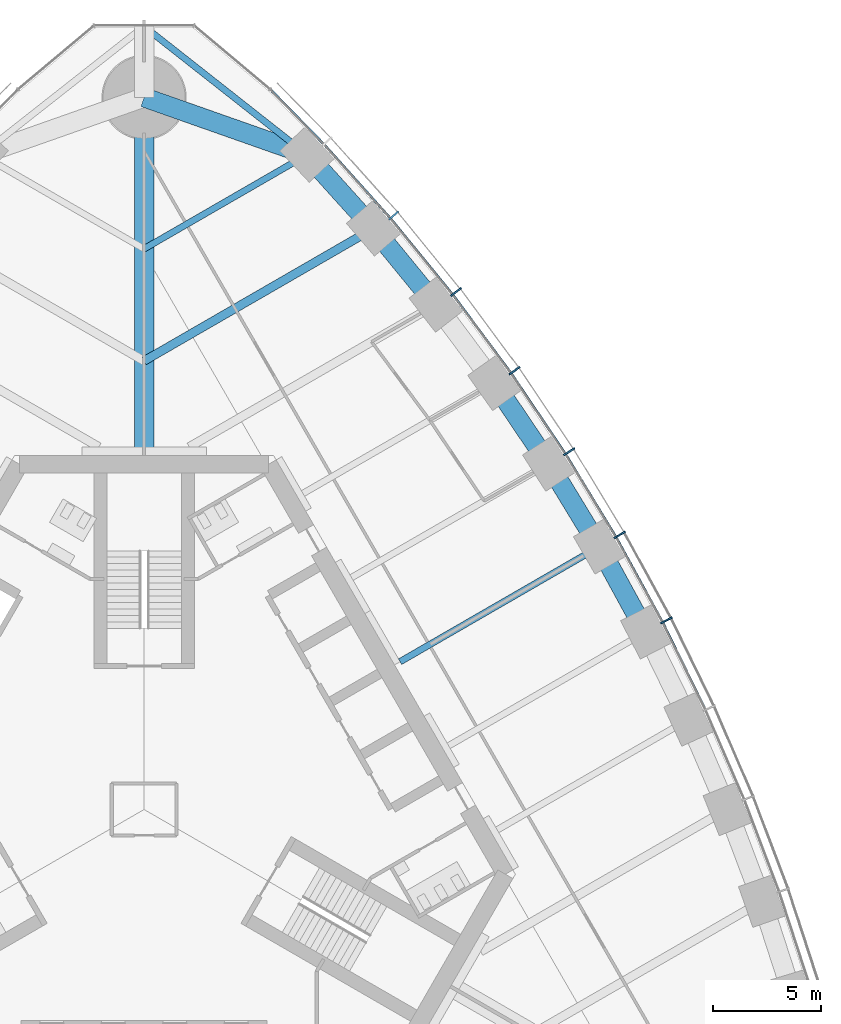
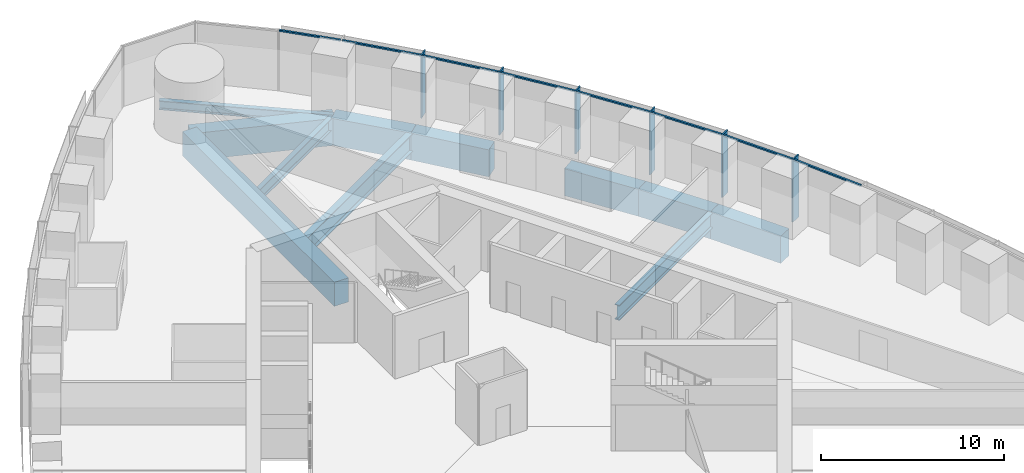
# One storey, part 7 of 18: 14 members, 11 beams, 1 element without a shape of its own.
"""IFC4 building model written with IfcOpenShell, lengths in metres."""

from ifc_helpers import new_model, si_unit, direction, frame, origin, origin_2d, place, context, subcontext, project, spatial, rectangle, i_section, extrude, material, material_profile, profile_set, type_object, element, aggregate, save


model = new_model("IFC4")

# Units and contexts
model_context = context("Model", 3, precision=1e-05, world=origin(), true_north=direction((0.0, 1.0)))
body_context = subcontext(model_context, "Body", "Model", "MODEL_VIEW")
ifc_project = project(units=[si_unit("LENGTHUNIT", "METRE"), si_unit("AREAUNIT", "SQUARE_METRE"), si_unit("VOLUMEUNIT", "CUBIC_METRE"), si_unit("PLANEANGLEUNIT", "RADIAN"), si_unit("MASSUNIT", "GRAM", prefix="KILO")], contexts=[model_context])

# Site, building, storey
site_placement = place(None, origin())
site = spatial("IfcSite", under=ifc_project, at=site_placement, CompositionType="ELEMENT")
building_placement = place(site_placement, origin())
building = spatial("IfcBuilding", under=site, at=building_placement, Name="Trefoil Bronze Tower", CompositionType="ELEMENT")
storey_placement = place(building_placement, frame((0.0, 0.0, 198.10009765625)))
storey = spatial("IfcBuildingStorey", under=building, at=storey_placement, Name="L45", CompositionType="ELEMENT", Elevation=198.10009765625)

# Curtain wall, members
ifc_material_1 = material(Name="Tinted solar-control glass", Category="glass")
curtain_wall_type = type_object("IfcCurtainWallType", Name="Bronze office curtain wall", PredefinedType="USERDEFINED", material=ifc_material_1)
curtain_wall_placement = place(storey_placement, origin())
curtain_wall = element("IfcCurtainWall", 1, at=curtain_wall_placement, inside=storey, type_object=curtain_wall_type, Name="CW-A L45 F2", ObjectType="CURTAIN WALL", PredefinedType="USERDEFINED")
ifc_material_2 = material(Name="Bronze-finish aluminium", Category="aluminium")
ifc_material_profile_1 = material_profile(ifc_material_2, rectangle(XDim=0.60009765625, YDim=0.080078125, at=origin_2d()), Name="CW-A mullion")
ifc_profile_set_1 = profile_set([ifc_material_profile_1], Name="Bronze-finish aluminium")
member_type_1 = type_object("IfcMemberType", Name="Bronze office curtain wall mullion", PredefinedType="MULLION", material=ifc_profile_set_1)
member_1_placement = place(storey_placement, frame((24.2080078125, 8.764404296875, 0.0), z_axis=(0.0, 0.0, 1.0), x_axis=(-0.888088206965, -0.459673075837, 0.0)))
member_1 = element("IfcMember", 2, at=member_1_placement, type_object=member_type_1, Name="CW-A L45 F2 mullion 6", PredefinedType="MULLION", context=body_context, shape_type="SweptSolid", body=[
    extrude(rectangle(XDim=0.60009765625, YDim=0.080078125, at=origin_2d()), origin(), (0.0, 0.0, 1.0), 4.179931640625),
])
member_2_placement = place(storey_placement, frame((22.041015625, 12.725341796875, 0.0), z_axis=(0.0, 0.0, 1.0), x_axis=(-0.866025403784, -0.5, 0.0)))
member_2 = element("IfcMember", 3, at=member_2_placement, type_object=member_type_1, Name="CW-A L45 F2 mullion 7", PredefinedType="MULLION", context=body_context, shape_type="SweptSolid", body=[
    extrude(rectangle(XDim=0.60009765625, YDim=0.080078125, at=origin_2d()), origin(), (0.0, 0.0, 1.0), 4.179931640625),
])
member_3_placement = place(storey_placement, frame((19.694091796875, 16.58251953125, 0.0), z_axis=(0.0, 0.0, 1.0), x_axis=(-0.842132664593, -0.539270410114, 0.0)))
member_3 = element("IfcMember", 4, at=member_3_placement, type_object=member_type_1, Name="CW-A L45 F2 mullion 8", PredefinedType="MULLION", context=body_context, shape_type="SweptSolid", body=[
    extrude(rectangle(XDim=0.60009765625, YDim=0.080078125, at=origin_2d()), origin(), (0.0, 0.0, 1.0), 4.179931640625),
])
member_4_placement = place(storey_placement, frame((17.167236328125, 20.335693359375, 0.0), z_axis=(0.0, 0.0, 1.0), x_axis=(-0.81640398396, -0.577481198806, 0.0)))
member_4 = element("IfcMember", 5, at=member_4_placement, type_object=member_type_1, Name="CW-A L45 F2 mullion 9", PredefinedType="MULLION", context=body_context, shape_type="SweptSolid", body=[
    extrude(rectangle(XDim=0.60009765625, YDim=0.080078125, at=origin_2d()), origin(), (0.0, 0.0, 1.0), 4.179931640625),
])
member_5_placement = place(storey_placement, frame((14.45849609375, 23.98388671875, 0.0), z_axis=(0.0, 0.0, 1.0), x_axis=(-0.788821461078, -0.614622406476, 0.0)))
member_5 = element("IfcMember", 6, at=member_5_placement, type_object=member_type_1, Name="CW-A L45 F2 mullion 10", PredefinedType="MULLION", context=body_context, shape_type="SweptSolid", body=[
    extrude(rectangle(XDim=0.60009765625, YDim=0.080078125, at=origin_2d()), origin(), (0.0, 0.0, 1.0), 4.179931640625),
])
member_6_placement = place(storey_placement, frame((11.564697265625, 27.525146484375, 0.0), z_axis=(0.0, 0.0, 1.0), x_axis=(-0.75935470958, -0.650676897576, 0.0)))
member_6 = element("IfcMember", 7, at=member_6_placement, type_object=member_type_1, Name="CW-A L45 F2 mullion 11", PredefinedType="MULLION", context=body_context, shape_type="SweptSolid", body=[
    extrude(rectangle(XDim=0.60009765625, YDim=0.080078125, at=origin_2d()), origin(), (0.0, 0.0, 1.0), 4.179931640625),
])
ifc_material_3 = material(Name="Bronze-finish aluminium", Category="aluminium")
ifc_material_profile_2 = material_profile(ifc_material_3, rectangle(XDim=0.1201171875, YDim=0.10009765625, at=origin_2d()), Name="CW-A transom")
ifc_profile_set_2 = profile_set([ifc_material_profile_2], Name="Bronze-finish aluminium")
member_type_2 = type_object("IfcMemberType", Name="Bronze office curtain wall transom", PredefinedType="USERDEFINED", material=ifc_profile_set_2)
member_7_placement = place(storey_placement, frame((25.99462890625, 4.65380859375, 4.1298828125), z_axis=(-0.439150835991, 0.898413347657, 0.0), x_axis=(-0.898413347657, -0.439150835991, 0.0)))
member_7 = element("IfcMember", 8, at=member_7_placement, type_object=member_type_2, Name="CW-A L45 F2 transom 5", ObjectType="TRANSOM", PredefinedType="USERDEFINED", context=body_context, shape_type="SweptSolid", body=[
    extrude(rectangle(XDim=0.1201171875, YDim=0.10009765625, at=origin_2d()), origin(), (0.0, 0.0, 1.0), 4.430908203125),
])
member_8_placement = place(storey_placement, frame((24.010009765625, 8.70947265625, 4.1298828125), z_axis=(-0.479973729071, 0.877282861683, 0.0), x_axis=(-0.877282861683, -0.479973729071, 0.0)))
member_8 = element("IfcMember", 9, at=member_8_placement, type_object=member_type_2, Name="CW-A L45 F2 transom 6", ObjectType="TRANSOM", PredefinedType="USERDEFINED", context=body_context, shape_type="SweptSolid", body=[
    extrude(rectangle(XDim=0.1201171875, YDim=0.10009765625, at=origin_2d()), origin(), (0.0, 0.0, 1.0), 4.421142578125),
])
member_9_placement = place(storey_placement, frame((21.845703125, 12.661376953125, 4.1298828125), z_axis=(-0.519740214649, 0.854324358354, 0.0), x_axis=(-0.854324358354, -0.519740214649, 0.0)))
member_9 = element("IfcMember", 10, at=member_9_placement, type_object=member_type_2, Name="CW-A L45 F2 transom 7", ObjectType="TRANSOM", PredefinedType="USERDEFINED", context=body_context, shape_type="SweptSolid", body=[
    extrude(rectangle(XDim=0.1201171875, YDim=0.10009765625, at=origin_2d()), origin(), (0.0, 0.0, 1.0), 4.421142578125),
])
member_10_placement = place(storey_placement, frame((19.502197265625, 16.509765625, 4.1298828125), z_axis=(-0.558509087547, 0.829498402125, 0.0), x_axis=(-0.829498402125, -0.558509087547, 0.0)))
member_10 = element("IfcMember", 11, at=member_10_placement, type_object=member_type_2, Name="CW-A L45 F2 transom 8", ObjectType="TRANSOM", PredefinedType="USERDEFINED", context=body_context, shape_type="SweptSolid", body=[
    extrude(rectangle(XDim=0.1201171875, YDim=0.10009765625, at=origin_2d()), origin(), (0.0, 0.0, 1.0), 4.4306640625),
])
member_11_placement = place(storey_placement, frame((16.978759765625, 20.254150390625, 4.1298828125), z_axis=(-0.59614822717, 0.802874393191, 0.0), x_axis=(-0.802874393191, -0.59614822717, 0.0)))
member_11 = element("IfcMember", 12, at=member_11_placement, type_object=member_type_2, Name="CW-A L45 F2 transom 9", ObjectType="TRANSOM", PredefinedType="USERDEFINED", context=body_context, shape_type="SweptSolid", body=[
    extrude(rectangle(XDim=0.1201171875, YDim=0.10009765625, at=origin_2d()), origin(), (0.0, 0.0, 1.0), 4.449951171875),
])
member_12_placement = place(storey_placement, frame((14.27392578125, 23.8935546875, 4.1298828125), z_axis=(-0.632756871921, 0.774350528531, 0.0), x_axis=(-0.774350528531, -0.632756871921, 0.0)))
member_12 = element("IfcMember", 13, at=member_12_placement, type_object=member_type_2, Name="CW-A L45 F2 transom 10", ObjectType="TRANSOM", PredefinedType="USERDEFINED", context=body_context, shape_type="SweptSolid", body=[
    extrude(rectangle(XDim=0.1201171875, YDim=0.10009765625, at=origin_2d()), origin(), (0.0, 0.0, 1.0), 4.4794921875),
])
member_13_placement = place(storey_placement, frame((11.384521484375, 27.426513671875, 4.1298828125), z_axis=(-0.66825109551, 0.743935799213, 0.0), x_axis=(-0.743935799213, -0.66825109551, 0.0)))
member_13 = element("IfcMember", 14, at=member_13_placement, type_object=member_type_2, Name="CW-A L45 F2 transom 11", ObjectType="TRANSOM", PredefinedType="USERDEFINED", context=body_context, shape_type="SweptSolid", body=[
    extrude(rectangle(XDim=0.1201171875, YDim=0.10009765625, at=origin_2d()), origin(), (0.0, 0.0, 1.0), 4.519287109375),
])
member_14_placement = place(storey_placement, frame((8.306884765625, 30.85009765625, 4.1298828125), z_axis=(-0.698646935368, 0.715466602785, 0.0), x_axis=(-0.715466602785, -0.698646935368, 0.0)))
member_14 = element("IfcMember", 15, at=member_14_placement, type_object=member_type_2, Name="CW-A L45 F2 transom 12", ObjectType="TRANSOM", PredefinedType="USERDEFINED", context=body_context, shape_type="SweptSolid", body=[
    extrude(rectangle(XDim=0.1201171875, YDim=0.10009765625, at=origin_2d()), origin(), (0.0, 0.0, 1.0), 3.483642578125),
])
aggregate(curtain_wall, [member_1, member_2, member_3, member_4, member_5, member_6, member_7, member_8, member_9, member_10, member_11, member_12, member_13, member_14])

# Beams
ifc_material_4 = material(Name="Steel C355", Category="steel")
ifc_material_profile_3 = material_profile(ifc_material_4, i_section(OverallWidth=0.300048828125, OverallDepth=0.60009765625, WebThickness=0.015380859375, FlangeThickness=0.030029296875, FilletRadius=0.027099609375, at=origin_2d()), Name="HEB 600")
ifc_profile_set_3 = profile_set([ifc_material_profile_3], Name="Steel C355")
beam_type_1 = type_object("IfcBeamType", Name="Corner edge beam HEB 600", PredefinedType="BEAM", material=ifc_profile_set_3)
beam_1_placement = place(storey_placement, frame((7.552001953125, 30.3408203125, -0.5), z_axis=(-0.785805912008, 0.618473175371, 0.0), x_axis=(-0.618473175371, -0.785805912008, 0.0)))
element("IfcBeam", 16, at=beam_1_placement, inside=storey, type_object=beam_type_1, Name="Corner edge beam F2A L45", PredefinedType="BEAM", context=body_context, shape_type="SweptSolid", body=[
    extrude(i_section(OverallWidth=0.300048828125, OverallDepth=0.60009765625, WebThickness=0.015380859375, FlangeThickness=0.030029296875, FilletRadius=0.027099609375, at=origin_2d()), origin(), (0.0, 0.0, 1.0), 9.610595703125),
])
ifc_material_5 = material(Name="Concrete B80", Category="concrete")
ifc_material_profile_4 = material_profile(ifc_material_5, rectangle(XDim=0.89990234375, YDim=1.60009765625, at=origin_2d()), Name="RC 900x1600")
ifc_profile_set_4 = profile_set([ifc_material_profile_4], Name="Concrete B80")
beam_type_2 = type_object("IfcBeamType", Name="Corner girder RC 900x1600", PredefinedType="BEAM", material=ifc_profile_set_4)
beam_2_placement = place(storey_placement, frame((0.0, 16.39990234375, -1.0), z_axis=(0.0, 1.0, 0.0), x_axis=(-1.0, 0.0, 0.0)))
element("IfcBeam", 17, at=beam_2_placement, inside=storey, type_object=beam_type_2, Name="Corner girder K2 L45", PredefinedType="BEAM", context=body_context, shape_type="SweptSolid", body=[
    extrude(rectangle(XDim=0.89990234375, YDim=1.60009765625, at=origin_2d()), origin(), (0.0, 0.0, 1.0), 16.60009765625),
])
ifc_material_6 = material(Name="Concrete B80", Category="concrete")
ifc_material_profile_5 = material_profile(ifc_material_6, rectangle(XDim=0.89990234375, YDim=1.800048828125, at=origin_2d()), Name="RC 900x1800")
ifc_profile_set_5 = profile_set([ifc_material_profile_5], Name="Concrete B80")
beam_type_3 = type_object("IfcBeamType", Name="End spandrel beam RC 900x1800", PredefinedType="SPANDREL", material=ifc_profile_set_5)
beam_3_placement = place(storey_placement, frame((7.552001953125, 30.3408203125, -1.10009765625), z_axis=(-0.943234397359, 0.332127794137, 0.0), x_axis=(-0.332127794137, -0.943234397359, 0.0)))
element("IfcBeam", 18, at=beam_3_placement, inside=storey, type_object=beam_type_3, Name="Spandrel F2.12 L45", PredefinedType="SPANDREL", context=body_context, shape_type="SweptSolid", body=[
    extrude(rectangle(XDim=0.89990234375, YDim=1.800048828125, at=origin_2d()), origin(), (0.0, 0.0, 1.0), 8.006591796875),
])
ifc_material_7 = material(Name="Steel C355", Category="steel")
ifc_material_profile_6 = material_profile(ifc_material_7, i_section(OverallWidth=0.300048828125, OverallDepth=0.800048828125, WebThickness=0.017578125, FlangeThickness=0.032958984375, FilletRadius=0.030029296875, at=origin_2d()), Name="HEB 800")
ifc_profile_set_6 = profile_set([ifc_material_profile_6], Name="Steel C355")
beam_type_4 = type_object("IfcBeamType", Name="Floor beam HEB 800", PredefinedType="BEAM", material=ifc_profile_set_6)
beam_4_placement = place(storey_placement, frame((7.552001953125, 30.3408203125, -0.60009765625), z_axis=(-0.866027535932, -0.499996306993, 0.0), x_axis=(0.499996306993, -0.866027535932, 0.0)))
element("IfcBeam", 19, at=beam_4_placement, inside=storey, type_object=beam_type_4, Name="Floor beam F2/+5 L45", PredefinedType="BEAM", context=body_context, shape_type="SweptSolid", body=[
    extrude(i_section(OverallWidth=0.300048828125, OverallDepth=0.800048828125, WebThickness=0.017578125, FlangeThickness=0.032958984375, FilletRadius=0.030029296875, at=origin_2d()), origin(), (0.0, 0.0, 1.0), 8.72021484375),
])
ifc_material_8 = material(Name="Steel C355", Category="steel")
ifc_material_profile_7 = material_profile(ifc_material_8, i_section(OverallWidth=0.302001953125, OverallDepth=1.008056640625, WebThickness=0.02099609375, FlangeThickness=0.0400390625, FilletRadius=0.030029296875, at=origin_2d()), Name="HEM 1000")
ifc_profile_set_7 = profile_set([ifc_material_profile_7], Name="Steel C355")
beam_type_5 = type_object("IfcBeamType", Name="Floor beam HEM 1000", PredefinedType="BEAM", material=ifc_profile_set_7)
beam_5_placement = place(storey_placement, frame((21.08837890625, 12.17529296875, -0.7041015625), z_axis=(-0.866034044198, -0.499985034066, 0.0), x_axis=(0.499985034066, -0.866034044198, 0.0)))
element("IfcBeam", 20, at=beam_5_placement, inside=storey, type_object=beam_type_5, Name="Floor beam F2/+0 L45", PredefinedType="BEAM", context=body_context, shape_type="SweptSolid", body=[
    extrude(i_section(OverallWidth=0.302001953125, OverallDepth=1.008056640625, WebThickness=0.02099609375, FlangeThickness=0.0400390625, FilletRadius=0.030029296875, at=origin_2d()), origin(), (0.0, 0.0, 1.0), 10.650634765625),
])
ifc_material_9 = material(Name="Steel C355", Category="steel")
ifc_material_profile_8 = material_profile(ifc_material_9, i_section(OverallWidth=0.39990234375, OverallDepth=1.199951171875, WebThickness=0.02001953125, FlangeThickness=0.0400390625, FilletRadius=0.010009765625, at=origin_2d()), Name="WPG 1200")
ifc_profile_set_8 = profile_set([ifc_material_profile_8], Name="Steel C355")
beam_type_6 = type_object("IfcBeamType", Name="Floor beam WPG 1200", PredefinedType="BEAM", material=ifc_profile_set_8)
beam_6_placement = place(storey_placement, frame((10.632080078125, 26.923095703125, -0.800048828125), z_axis=(-0.866025635187, -0.499999599199, 0.0), x_axis=(0.499999599199, -0.866025635187, 0.0)))
element("IfcBeam", 21, at=beam_6_placement, inside=storey, type_object=beam_type_6, Name="Floor beam F2/+4 L45", PredefinedType="BEAM", context=body_context, shape_type="SweptSolid", body=[
    extrude(i_section(OverallWidth=0.39990234375, OverallDepth=1.199951171875, WebThickness=0.02001953125, FlangeThickness=0.0400390625, FilletRadius=0.010009765625, at=origin_2d()), origin(), (0.0, 0.0, 1.0), 12.27685546875),
])
ifc_material_10 = material(Name="Concrete B80", Category="concrete")
ifc_material_profile_9 = material_profile(ifc_material_10, rectangle(XDim=0.89990234375, YDim=1.800048828125, at=origin_2d()), Name="RC 900x1800")
ifc_profile_set_9 = profile_set([ifc_material_profile_9], Name="Concrete B80")
beam_type_7 = type_object("IfcBeamType", Name="Spandrel beam RC 900x1800", PredefinedType="SPANDREL", material=ifc_profile_set_9)
for number, where, z_axis, x_axis, name in (
    (22, (23.248046875, 8.22607421875, -1.10009765625), (-0.479801903802, 0.87737684783, 0.0), (-0.87737684783, -0.479801903802, 0.0), "Spandrel F2.6 L45"),
    (23, (21.08837890625, 12.17529296875, -1.10009765625), (-0.519933181394, 0.854206934464, 0.0), (-0.854206934464, -0.519933181394, 0.0), "Spandrel F2.7 L45"),
):
    element("IfcBeam", number, at=place(storey_placement, frame(where, z_axis=z_axis, x_axis=x_axis)), inside=storey, type_object=beam_type_7, Name=name, PredefinedType="SPANDREL", context=body_context, shape_type="SweptSolid", body=[
        extrude(rectangle(XDim=0.89990234375, YDim=1.800048828125, at=origin_2d()), origin(), (0.0, 0.0, 1.0), 4.501220703125),
    ])
beam_7_placement = place(storey_placement, frame((18.748046875, 16.020263671875, -1.10009765625), z_axis=(-0.558964302753, 0.829191719838, 0.0), x_axis=(-0.829191719838, -0.558964302753, 0.0)))
element("IfcBeam", 24, at=beam_7_placement, inside=storey, type_object=beam_type_7, Name="Spandrel F2.8 L45", PredefinedType="SPANDREL", context=body_context, shape_type="SweptSolid", body=[
    extrude(rectangle(XDim=0.89990234375, YDim=1.800048828125, at=origin_2d()), origin(), (0.0, 0.0, 1.0), 4.510986328125),
])
beam_8_placement = place(storey_placement, frame((13.522216796875, 23.3955078125, -1.10009765625), z_axis=(-0.633753657863, 0.773534938542, 0.0), x_axis=(-0.773534938542, -0.633753657863, 0.0)))
element("IfcBeam", 25, at=beam_8_placement, inside=storey, type_object=beam_type_7, Name="Spandrel F2.10 L45", PredefinedType="SPANDREL", context=body_context, shape_type="SweptSolid", body=[
    extrude(rectangle(XDim=0.89990234375, YDim=1.800048828125, at=origin_2d()), origin(), (0.0, 0.0, 1.0), 4.560302734375),
])
beam_9_placement = place(storey_placement, frame((10.632080078125, 26.923095703125, -1.10009765625), z_axis=(-0.669460045872, 0.742848064534, 0.0), x_axis=(-0.742848064534, -0.669460045872, 0.0)))
element("IfcBeam", 26, at=beam_9_placement, inside=storey, type_object=beam_type_7, Name="Spandrel F2.11 L45", PredefinedType="SPANDREL", context=body_context, shape_type="SweptSolid", body=[
    extrude(rectangle(XDim=0.89990234375, YDim=1.800048828125, at=origin_2d()), origin(), (0.0, 0.0, 1.0), 4.600830078125),
])

save(model, "model.ifc")
